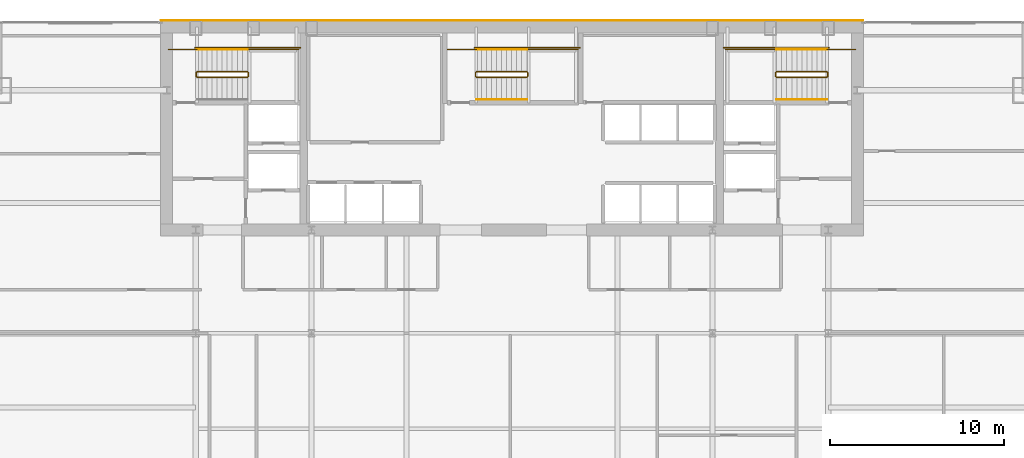
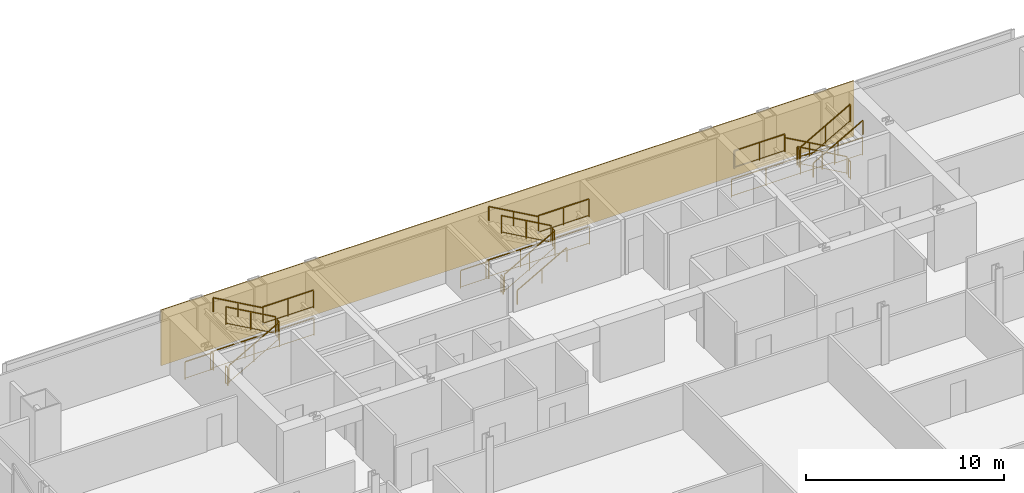
# One storey, part 31 of 31: 26 railings, 1 covering.
"""IFC4 building model written with IfcOpenShell, lengths in metres."""

from ifc_helpers import new_model, si_unit, direction, frame, origin, origin_2d, place, context, subcontext, project, spatial, polyline, rectangle, outline, extrude, material, layer, layer_set, type_object, element, save


model = new_model("IFC4")

# Units and contexts
model_context = context("Model", 3, precision=1e-05, world=origin(), true_north=direction((0.0, 1.0)))
body_context = subcontext(model_context, "Body", "Model", "MODEL_VIEW")
ifc_project = project(units=[si_unit("LENGTHUNIT", "METRE"), si_unit("AREAUNIT", "SQUARE_METRE"), si_unit("VOLUMEUNIT", "CUBIC_METRE"), si_unit("PLANEANGLEUNIT", "RADIAN"), si_unit("MASSUNIT", "GRAM", prefix="KILO")], contexts=[model_context])

# Site, building, storey
site_placement = place(None, origin())
site = spatial("IfcSite", under=ifc_project, at=site_placement, CompositionType="ELEMENT")
building_placement = place(site_placement, origin())
building = spatial("IfcBuilding", under=site, at=building_placement, Name="Khoronbel Lancet Exchange", CompositionType="ELEMENT")
storey_placement = place(building_placement, frame((0.0, 0.0, 121.800048828125)))
storey = spatial("IfcBuildingStorey", under=building, at=storey_placement, Name="L29", CompositionType="ELEMENT", Elevation=121.800048828125)

# Covering
ifc_material_1 = material(Name="Honed Egyptian Limestone & Bronze Rainscreen", Category="masonry")
ifc_layer = layer(ifc_material_1, 0.050048828125, Name="Honed Egyptian Limestone & Bronze Rainscreen")
ifc_layer_set = layer_set([ifc_layer], Name="Honed Egyptian Limestone & Bronze Rainscreen")
covering_type = type_object("IfcCoveringType", Name="COV-CLAD1", PredefinedType="CLADDING", material=ifc_layer_set)
covering_placement = place(storey_placement, origin())
element("IfcCovering", 1, at=covering_placement, inside=storey, type_object=covering_type, Name="Level L29 north rear-core stone and bronze rainscreen cladding", PredefinedType="CLADDING", context=body_context, shape_type="SweptSolid", body=[
    extrude(outline(polyline([(16.199951171875, 53.699951171875), (56.699951171875, 53.699951171875), (56.699951171875, 53.75), (16.199951171875, 53.75), (16.199951171875, 53.699951171875)])), origin(), (0.0, 0.0, 1.0), 3.43994140625),
])

# Railings
ifc_material_2 = material(Name="Painted Steel Balustrade", Category="steel")
railing_type_1 = type_object("IfcRailingType", Name="RL-STG110", PredefinedType="GUARDRAIL", material=ifc_material_2)
railing_1_placement = place(storey_placement, frame((18.300048828125, 50.449951171875, 0.16357421875)))
element("IfcRailing", 2, at=railing_1_placement, inside=storey, type_object=railing_type_1, Name="L29 ST1 stair guard 1", PredefinedType="GUARDRAIL", context=body_context, shape_type="SweptSolid", body=[
    extrude(rectangle(XDim=0.048095703125, YDim=0.048095703125, at=origin_2d()), frame((0.0, 0.0, 1.09619140625), z_axis=(0.870897200241, 0.0, 0.491465224214), x_axis=(0.0, 1.0, 0.0)), (0.0, 0.0, 1.0), 3.329833984375),
    extrude(rectangle(XDim=0.02392578125, YDim=0.02392578125, at=origin_2d()), frame((0.0, 0.0, 0.080078125), z_axis=(0.870897200241, 0.0, 0.491465224214), x_axis=(0.0, 1.0, 0.0)), (0.0, 0.0, 1.0), 3.329833984375),
    extrude(rectangle(XDim=0.0419921875, YDim=0.0419921875, at=origin_2d()), origin(), (0.0, 0.0, 1.0), 1.072021484375),
    extrude(rectangle(XDim=0.0419921875, YDim=0.0419921875, at=origin_2d()), frame((1.449951171875, 0.0, 0.818359375)), (0.0, 0.0, 1.0), 1.072021484375),
    extrude(rectangle(XDim=0.0419921875, YDim=0.0419921875, at=origin_2d()), frame((2.89990234375, 0.0, 1.636474609375)), (0.0, 0.0, 1.0), 1.072021484375),
])
railing_2_placement = place(storey_placement, frame((21.25, 50.5, 1.800048828125)))
element("IfcRailing", 3, at=railing_2_placement, inside=storey, type_object=railing_type_1, Name="L29 ST1 stair guard 2", PredefinedType="GUARDRAIL", context=body_context, shape_type="SweptSolid", body=[
    extrude(rectangle(XDim=0.048095703125, YDim=0.048095703125, at=origin_2d()), frame((0.0, 0.0, 1.09619140625), z_axis=(0.0, 1.0, 0.0), x_axis=(-1.0, 0.0, 0.0)), (0.0, 0.0, 1.0), 0.219970703125),
    extrude(rectangle(XDim=0.02392578125, YDim=0.02392578125, at=origin_2d()), frame((0.0, 0.0, 0.080078125), z_axis=(0.0, 1.0, 0.0), x_axis=(-1.0, 0.0, 0.0)), (0.0, 0.0, 1.0), 0.219970703125),
    extrude(rectangle(XDim=0.0419921875, YDim=0.0419921875, at=origin_2d()), origin(), (0.0, 0.0, 1.0), 1.072021484375),
    extrude(rectangle(XDim=0.0419921875, YDim=0.0419921875, at=origin_2d()), frame((0.0, 0.219970703125, 0.0)), (0.0, 0.0, 1.0), 1.072021484375),
])
railing_3_placement = place(storey_placement, frame((21.199951171875, 52.050048828125, 1.800048828125)))
element("IfcRailing", 4, at=railing_3_placement, inside=storey, type_object=railing_type_1, Name="L29 ST1 stair guard 3", PredefinedType="GUARDRAIL", context=body_context, shape_type="SweptSolid", body=[
    extrude(rectangle(XDim=0.048095703125, YDim=0.048095703125, at=origin_2d()), frame((0.0, 0.0, 1.09619140625), z_axis=(1.0, 0.0, 0.0), x_axis=(0.0, 1.0, 0.0)), (0.0, 0.0, 1.0), 2.949951171875),
    extrude(rectangle(XDim=0.02392578125, YDim=0.02392578125, at=origin_2d()), frame((0.0, 0.0, 0.080078125), z_axis=(1.0, 0.0, 0.0), x_axis=(0.0, 1.0, 0.0)), (0.0, 0.0, 1.0), 2.949951171875),
    extrude(rectangle(XDim=0.0419921875, YDim=0.0419921875, at=origin_2d()), origin(), (0.0, 0.0, 1.0), 1.072021484375),
    extrude(rectangle(XDim=0.0419921875, YDim=0.0419921875, at=origin_2d()), frame((1.47509765625, 0.0, 0.0)), (0.0, 0.0, 1.0), 1.072021484375),
    extrude(rectangle(XDim=0.0419921875, YDim=0.0419921875, at=origin_2d()), frame((2.949951171875, 0.0, 0.0)), (0.0, 0.0, 1.0), 1.072021484375),
])
railing_4_placement = place(storey_placement, frame((21.199951171875, 50.77001953125, 1.963623046875)))
element("IfcRailing", 5, at=railing_4_placement, inside=storey, type_object=railing_type_1, Name="L29 ST1 stair guard 4", PredefinedType="GUARDRAIL", context=body_context, shape_type="SweptSolid", body=[
    extrude(rectangle(XDim=0.048095703125, YDim=0.048095703125, at=origin_2d()), frame((0.0, 0.0, 1.09619140625), z_axis=(-0.870928581787, 0.0, 0.491409610636), x_axis=(0.0, -1.0, 0.0)), (0.0, 0.0, 1.0), 3.32958984375),
    extrude(rectangle(XDim=0.02392578125, YDim=0.02392578125, at=origin_2d()), frame((0.0, 0.0, 0.080078125), z_axis=(-0.870928581787, 0.0, 0.491409610636), x_axis=(0.0, -1.0, 0.0)), (0.0, 0.0, 1.0), 3.32958984375),
    extrude(rectangle(XDim=0.0419921875, YDim=0.0419921875, at=origin_2d()), origin(), (0.0, 0.0, 1.0), 1.072021484375),
    extrude(rectangle(XDim=0.0419921875, YDim=0.0419921875, at=origin_2d()), frame((-1.449951171875, 0.0, 0.818115234375)), (0.0, 0.0, 1.0), 1.072021484375),
    extrude(rectangle(XDim=0.0419921875, YDim=0.0419921875, at=origin_2d()), frame((-2.89990234375, 0.0, 1.63623046875)), (0.0, 0.0, 1.0), 1.072021484375),
])
railing_5_placement = place(storey_placement, frame((18.25, 50.5, 0.0)))
element("IfcRailing", 6, at=railing_5_placement, inside=storey, type_object=railing_type_1, Name="L29 ST1 stair guard 5", PredefinedType="GUARDRAIL", context=body_context, shape_type="SweptSolid", body=[
    extrude(rectangle(XDim=0.048095703125, YDim=0.048095703125, at=origin_2d()), frame((0.0, 0.0, 1.09619140625), z_axis=(0.0, 1.0, 0.0), x_axis=(-1.0, 0.0, 0.0)), (0.0, 0.0, 1.0), 0.219970703125),
    extrude(rectangle(XDim=0.02392578125, YDim=0.02392578125, at=origin_2d()), frame((0.0, 0.0, 0.080078125), z_axis=(0.0, 1.0, 0.0), x_axis=(-1.0, 0.0, 0.0)), (0.0, 0.0, 1.0), 0.219970703125),
    extrude(rectangle(XDim=0.0419921875, YDim=0.0419921875, at=origin_2d()), origin(), (0.0, 0.0, 1.0), 1.072021484375),
    extrude(rectangle(XDim=0.0419921875, YDim=0.0419921875, at=origin_2d()), frame((0.0, 0.219970703125, 0.0)), (0.0, 0.0, 1.0), 1.072021484375),
])
railing_6_placement = place(storey_placement, frame((16.64990234375, 52.050048828125, 0.0)))
element("IfcRailing", 7, at=railing_6_placement, inside=storey, type_object=railing_type_1, Name="L29 ST1 stair guard 6", PredefinedType="GUARDRAIL", context=body_context, shape_type="SweptSolid", body=[
    extrude(rectangle(XDim=0.048095703125, YDim=0.048095703125, at=origin_2d()), frame((0.0, 0.0, 1.09619140625), z_axis=(1.0, 0.0, 0.0), x_axis=(0.0, 1.0, 0.0)), (0.0, 0.0, 1.0), 1.650146484375),
    extrude(rectangle(XDim=0.02392578125, YDim=0.02392578125, at=origin_2d()), frame((0.0, 0.0, 0.080078125), z_axis=(1.0, 0.0, 0.0), x_axis=(0.0, 1.0, 0.0)), (0.0, 0.0, 1.0), 1.650146484375),
    extrude(rectangle(XDim=0.0419921875, YDim=0.0419921875, at=origin_2d()), origin(), (0.0, 0.0, 1.0), 1.072021484375),
    extrude(rectangle(XDim=0.0419921875, YDim=0.0419921875, at=origin_2d()), frame((1.650146484375, 0.0, 0.0)), (0.0, 0.0, 1.0), 1.072021484375),
])
railing_7_placement = place(storey_placement, frame((18.199951171875, 52.14990234375, 0.0)))
element("IfcRailing", 8, at=railing_7_placement, inside=storey, type_object=railing_type_1, Name="L29 ST1 stair guard 7", PredefinedType="GUARDRAIL", context=body_context, shape_type="SweptSolid", body=[
    extrude(rectangle(XDim=0.048095703125, YDim=0.048095703125, at=origin_2d()), frame((0.0, 0.0, 1.09619140625), z_axis=(1.0, 0.0, 0.0), x_axis=(0.0, 1.0, 0.0)), (0.0, 0.0, 1.0), 6.050048828125),
    extrude(rectangle(XDim=0.02392578125, YDim=0.02392578125, at=origin_2d()), frame((0.0, 0.0, 0.080078125), z_axis=(1.0, 0.0, 0.0), x_axis=(0.0, 1.0, 0.0)), (0.0, 0.0, 1.0), 6.050048828125),
    extrude(rectangle(XDim=0.0419921875, YDim=0.0419921875, at=origin_2d()), origin(), (0.0, 0.0, 1.0), 1.072021484375),
    extrude(rectangle(XDim=0.0419921875, YDim=0.0419921875, at=origin_2d()), frame((2.0166015625, 0.0, 0.0)), (0.0, 0.0, 1.0), 1.072021484375),
    extrude(rectangle(XDim=0.0419921875, YDim=0.0419921875, at=origin_2d()), frame((4.033447265625, 0.0, 0.0)), (0.0, 0.0, 1.0), 1.072021484375),
    extrude(rectangle(XDim=0.0419921875, YDim=0.0419921875, at=origin_2d()), frame((6.050048828125, 0.0, 0.0)), (0.0, 0.0, 1.0), 1.072021484375),
])
railing_8_placement = place(storey_placement, frame((54.60009765625, 50.77001953125, 0.16357421875)))
element("IfcRailing", 9, at=railing_8_placement, inside=storey, type_object=railing_type_1, Name="L29 ST2 stair guard 1", PredefinedType="GUARDRAIL", context=body_context, shape_type="SweptSolid", body=[
    extrude(rectangle(XDim=0.048095703125, YDim=0.048095703125, at=origin_2d()), frame((0.0, 0.0, 1.09619140625), z_axis=(-0.870914908162, 0.0, 0.491433843708), x_axis=(0.0, -1.0, 0.0)), (0.0, 0.0, 1.0), 3.330078125),
    extrude(rectangle(XDim=0.02392578125, YDim=0.02392578125, at=origin_2d()), frame((0.0, 0.0, 0.080078125), z_axis=(-0.870914908162, 0.0, 0.491433843708), x_axis=(0.0, -1.0, 0.0)), (0.0, 0.0, 1.0), 3.330078125),
    extrude(rectangle(XDim=0.0419921875, YDim=0.0419921875, at=origin_2d()), origin(), (0.0, 0.0, 1.0), 1.072021484375),
    extrude(rectangle(XDim=0.0419921875, YDim=0.0419921875, at=origin_2d()), frame((-1.4501953125, 0.0, 0.818359375)), (0.0, 0.0, 1.0), 1.072021484375),
    extrude(rectangle(XDim=0.0419921875, YDim=0.0419921875, at=origin_2d()), frame((-2.900146484375, 0.0, 1.636474609375)), (0.0, 0.0, 1.0), 1.072021484375),
])
railing_9_placement = place(storey_placement, frame((51.64990234375, 50.719970703125, 1.800048828125)))
element("IfcRailing", 10, at=railing_9_placement, inside=storey, type_object=railing_type_1, Name="L29 ST2 stair guard 2", PredefinedType="GUARDRAIL", context=body_context, shape_type="SweptSolid", body=[
    extrude(rectangle(XDim=0.048095703125, YDim=0.048095703125, at=origin_2d()), frame((0.0, 0.0, 1.09619140625), z_axis=(0.0, -1.0, 0.0), x_axis=(1.0, 0.0, 0.0)), (0.0, 0.0, 1.0), 0.219970703125),
    extrude(rectangle(XDim=0.02392578125, YDim=0.02392578125, at=origin_2d()), frame((0.0, 0.0, 0.080078125), z_axis=(0.0, -1.0, 0.0), x_axis=(1.0, 0.0, 0.0)), (0.0, 0.0, 1.0), 0.219970703125),
    extrude(rectangle(XDim=0.0419921875, YDim=0.0419921875, at=origin_2d()), origin(), (0.0, 0.0, 1.0), 1.072021484375),
    extrude(rectangle(XDim=0.0419921875, YDim=0.0419921875, at=origin_2d()), frame((0.0, -0.219970703125, 0.0)), (0.0, 0.0, 1.0), 1.072021484375),
])
railing_10_placement = place(storey_placement, frame((51.699951171875, 52.050048828125, 1.800048828125)))
element("IfcRailing", 11, at=railing_10_placement, inside=storey, type_object=railing_type_1, Name="L29 ST2 stair guard 3", PredefinedType="GUARDRAIL", context=body_context, shape_type="SweptSolid", body=[
    extrude(rectangle(XDim=0.048095703125, YDim=0.048095703125, at=origin_2d()), frame((0.0, 0.0, 1.09619140625), z_axis=(-1.0, 0.0, 0.0), x_axis=(0.0, -1.0, 0.0)), (0.0, 0.0, 1.0), 2.949951171875),
    extrude(rectangle(XDim=0.02392578125, YDim=0.02392578125, at=origin_2d()), frame((0.0, 0.0, 0.080078125), z_axis=(-1.0, 0.0, 0.0), x_axis=(0.0, -1.0, 0.0)), (0.0, 0.0, 1.0), 2.949951171875),
    extrude(rectangle(XDim=0.0419921875, YDim=0.0419921875, at=origin_2d()), origin(), (0.0, 0.0, 1.0), 1.072021484375),
    extrude(rectangle(XDim=0.0419921875, YDim=0.0419921875, at=origin_2d()), frame((-1.47509765625, 0.0, 0.0)), (0.0, 0.0, 1.0), 1.072021484375),
    extrude(rectangle(XDim=0.0419921875, YDim=0.0419921875, at=origin_2d()), frame((-2.949951171875, 0.0, 0.0)), (0.0, 0.0, 1.0), 1.072021484375),
])
railing_11_placement = place(storey_placement, frame((51.699951171875, 50.449951171875, 1.963623046875)))
element("IfcRailing", 12, at=railing_11_placement, inside=storey, type_object=railing_type_1, Name="L29 ST2 stair guard 4", PredefinedType="GUARDRAIL", context=body_context, shape_type="SweptSolid", body=[
    extrude(rectangle(XDim=0.048095703125, YDim=0.048095703125, at=origin_2d()), frame((0.0, 0.0, 1.09619140625), z_axis=(0.870946286338, 0.0, 0.49137823142), x_axis=(0.0, 1.0, 0.0)), (0.0, 0.0, 1.0), 3.329833984375),
    extrude(rectangle(XDim=0.02392578125, YDim=0.02392578125, at=origin_2d()), frame((0.0, 0.0, 0.080078125), z_axis=(0.870946286338, 0.0, 0.49137823142), x_axis=(0.0, 1.0, 0.0)), (0.0, 0.0, 1.0), 3.329833984375),
    extrude(rectangle(XDim=0.0419921875, YDim=0.0419921875, at=origin_2d()), origin(), (0.0, 0.0, 1.0), 1.072021484375),
    extrude(rectangle(XDim=0.0419921875, YDim=0.0419921875, at=origin_2d()), frame((1.4501953125, 0.0, 0.818115234375)), (0.0, 0.0, 1.0), 1.072021484375),
    extrude(rectangle(XDim=0.0419921875, YDim=0.0419921875, at=origin_2d()), frame((2.900146484375, 0.0, 1.63623046875)), (0.0, 0.0, 1.0), 1.072021484375),
])
railing_12_placement = place(storey_placement, frame((54.64990234375, 50.719970703125, 0.0)))
element("IfcRailing", 13, at=railing_12_placement, inside=storey, type_object=railing_type_1, Name="L29 ST2 stair guard 5", PredefinedType="GUARDRAIL", context=body_context, shape_type="SweptSolid", body=[
    extrude(rectangle(XDim=0.048095703125, YDim=0.048095703125, at=origin_2d()), frame((0.0, 0.0, 1.09619140625), z_axis=(0.0, -1.0, 0.0), x_axis=(1.0, 0.0, 0.0)), (0.0, 0.0, 1.0), 0.219970703125),
    extrude(rectangle(XDim=0.02392578125, YDim=0.02392578125, at=origin_2d()), frame((0.0, 0.0, 0.080078125), z_axis=(0.0, -1.0, 0.0), x_axis=(1.0, 0.0, 0.0)), (0.0, 0.0, 1.0), 0.219970703125),
    extrude(rectangle(XDim=0.0419921875, YDim=0.0419921875, at=origin_2d()), origin(), (0.0, 0.0, 1.0), 1.072021484375),
    extrude(rectangle(XDim=0.0419921875, YDim=0.0419921875, at=origin_2d()), frame((0.0, -0.219970703125, 0.0)), (0.0, 0.0, 1.0), 1.072021484375),
])
railing_13_placement = place(storey_placement, frame((56.25, 52.050048828125, 0.0)))
element("IfcRailing", 14, at=railing_13_placement, inside=storey, type_object=railing_type_1, Name="L29 ST2 stair guard 6", PredefinedType="GUARDRAIL", context=body_context, shape_type="SweptSolid", body=[
    extrude(rectangle(XDim=0.048095703125, YDim=0.048095703125, at=origin_2d()), frame((0.0, 0.0, 1.09619140625), z_axis=(-1.0, 0.0, 0.0), x_axis=(0.0, -1.0, 0.0)), (0.0, 0.0, 1.0), 1.64990234375),
    extrude(rectangle(XDim=0.02392578125, YDim=0.02392578125, at=origin_2d()), frame((0.0, 0.0, 0.080078125), z_axis=(-1.0, 0.0, 0.0), x_axis=(0.0, -1.0, 0.0)), (0.0, 0.0, 1.0), 1.64990234375),
    extrude(rectangle(XDim=0.0419921875, YDim=0.0419921875, at=origin_2d()), origin(), (0.0, 0.0, 1.0), 1.072021484375),
    extrude(rectangle(XDim=0.0419921875, YDim=0.0419921875, at=origin_2d()), frame((-1.64990234375, 0.0, 0.0)), (0.0, 0.0, 1.0), 1.072021484375),
])
railing_14_placement = place(storey_placement, frame((54.699951171875, 52.14990234375, 0.0)))
element("IfcRailing", 15, at=railing_14_placement, inside=storey, type_object=railing_type_1, Name="L29 ST2 stair guard 7", PredefinedType="GUARDRAIL", context=body_context, shape_type="SweptSolid", body=[
    extrude(rectangle(XDim=0.048095703125, YDim=0.048095703125, at=origin_2d()), frame((0.0, 0.0, 1.09619140625), z_axis=(-1.0, 0.0, 0.0), x_axis=(0.0, -1.0, 0.0)), (0.0, 0.0, 1.0), 6.050048828125),
    extrude(rectangle(XDim=0.02392578125, YDim=0.02392578125, at=origin_2d()), frame((0.0, 0.0, 0.080078125), z_axis=(-1.0, 0.0, 0.0), x_axis=(0.0, -1.0, 0.0)), (0.0, 0.0, 1.0), 6.050048828125),
    extrude(rectangle(XDim=0.0419921875, YDim=0.0419921875, at=origin_2d()), origin(), (0.0, 0.0, 1.0), 1.072021484375),
    extrude(rectangle(XDim=0.0419921875, YDim=0.0419921875, at=origin_2d()), frame((-2.0166015625, 0.0, 0.0)), (0.0, 0.0, 1.0), 1.072021484375),
    extrude(rectangle(XDim=0.0419921875, YDim=0.0419921875, at=origin_2d()), frame((-4.033447265625, 0.0, 0.0)), (0.0, 0.0, 1.0), 1.072021484375),
    extrude(rectangle(XDim=0.0419921875, YDim=0.0419921875, at=origin_2d()), frame((-6.050048828125, 0.0, 0.0)), (0.0, 0.0, 1.0), 1.072021484375),
])
railing_15_placement = place(storey_placement, frame((34.39990234375, 50.449951171875, 0.16357421875)))
element("IfcRailing", 16, at=railing_15_placement, inside=storey, type_object=railing_type_1, Name="L29 ST3 stair guard 1", PredefinedType="GUARDRAIL", context=body_context, shape_type="SweptSolid", body=[
    extrude(rectangle(XDim=0.048095703125, YDim=0.048095703125, at=origin_2d()), frame((0.0, 0.0, 1.09619140625), z_axis=(0.870914908162, 0.0, 0.491433843708), x_axis=(0.0, 1.0, 0.0)), (0.0, 0.0, 1.0), 3.330078125),
    extrude(rectangle(XDim=0.02392578125, YDim=0.02392578125, at=origin_2d()), frame((0.0, 0.0, 0.080078125), z_axis=(0.870914908162, 0.0, 0.491433843708), x_axis=(0.0, 1.0, 0.0)), (0.0, 0.0, 1.0), 3.330078125),
    extrude(rectangle(XDim=0.0419921875, YDim=0.0419921875, at=origin_2d()), origin(), (0.0, 0.0, 1.0), 1.072021484375),
    extrude(rectangle(XDim=0.0419921875, YDim=0.0419921875, at=origin_2d()), frame((1.4501953125, 0.0, 0.818359375)), (0.0, 0.0, 1.0), 1.072021484375),
    extrude(rectangle(XDim=0.0419921875, YDim=0.0419921875, at=origin_2d()), frame((2.900146484375, 0.0, 1.636474609375)), (0.0, 0.0, 1.0), 1.072021484375),
])
railing_16_placement = place(storey_placement, frame((37.35009765625, 50.5, 1.800048828125)))
element("IfcRailing", 17, at=railing_16_placement, inside=storey, type_object=railing_type_1, Name="L29 ST3 stair guard 2", PredefinedType="GUARDRAIL", context=body_context, shape_type="SweptSolid", body=[
    extrude(rectangle(XDim=0.048095703125, YDim=0.048095703125, at=origin_2d()), frame((0.0, 0.0, 1.09619140625), z_axis=(0.0, 1.0, 0.0), x_axis=(-1.0, 0.0, 0.0)), (0.0, 0.0, 1.0), 0.219970703125),
    extrude(rectangle(XDim=0.02392578125, YDim=0.02392578125, at=origin_2d()), frame((0.0, 0.0, 0.080078125), z_axis=(0.0, 1.0, 0.0), x_axis=(-1.0, 0.0, 0.0)), (0.0, 0.0, 1.0), 0.219970703125),
    extrude(rectangle(XDim=0.0419921875, YDim=0.0419921875, at=origin_2d()), origin(), (0.0, 0.0, 1.0), 1.072021484375),
    extrude(rectangle(XDim=0.0419921875, YDim=0.0419921875, at=origin_2d()), frame((0.0, 0.219970703125, 0.0)), (0.0, 0.0, 1.0), 1.072021484375),
])
railing_17_placement = place(storey_placement, frame((37.300048828125, 52.050048828125, 1.800048828125)))
element("IfcRailing", 18, at=railing_17_placement, inside=storey, type_object=railing_type_1, Name="L29 ST3 stair guard 3", PredefinedType="GUARDRAIL", context=body_context, shape_type="SweptSolid", body=[
    extrude(rectangle(XDim=0.048095703125, YDim=0.048095703125, at=origin_2d()), frame((0.0, 0.0, 1.09619140625), z_axis=(1.0, 0.0, 0.0), x_axis=(0.0, 1.0, 0.0)), (0.0, 0.0, 1.0), 2.949951171875),
    extrude(rectangle(XDim=0.02392578125, YDim=0.02392578125, at=origin_2d()), frame((0.0, 0.0, 0.080078125), z_axis=(1.0, 0.0, 0.0), x_axis=(0.0, 1.0, 0.0)), (0.0, 0.0, 1.0), 2.949951171875),
    extrude(rectangle(XDim=0.0419921875, YDim=0.0419921875, at=origin_2d()), origin(), (0.0, 0.0, 1.0), 1.072021484375),
    extrude(rectangle(XDim=0.0419921875, YDim=0.0419921875, at=origin_2d()), frame((1.47509765625, 0.0, 0.0)), (0.0, 0.0, 1.0), 1.072021484375),
    extrude(rectangle(XDim=0.0419921875, YDim=0.0419921875, at=origin_2d()), frame((2.949951171875, 0.0, 0.0)), (0.0, 0.0, 1.0), 1.072021484375),
])
railing_18_placement = place(storey_placement, frame((37.300048828125, 50.77001953125, 1.963623046875)))
element("IfcRailing", 19, at=railing_18_placement, inside=storey, type_object=railing_type_1, Name="L29 ST3 stair guard 4", PredefinedType="GUARDRAIL", context=body_context, shape_type="SweptSolid", body=[
    extrude(rectangle(XDim=0.048095703125, YDim=0.048095703125, at=origin_2d()), frame((0.0, 0.0, 1.09619140625), z_axis=(-0.870946286338, 0.0, 0.49137823142), x_axis=(0.0, -1.0, 0.0)), (0.0, 0.0, 1.0), 3.329833984375),
    extrude(rectangle(XDim=0.02392578125, YDim=0.02392578125, at=origin_2d()), frame((0.0, 0.0, 0.080078125), z_axis=(-0.870946286338, 0.0, 0.49137823142), x_axis=(0.0, -1.0, 0.0)), (0.0, 0.0, 1.0), 3.329833984375),
    extrude(rectangle(XDim=0.0419921875, YDim=0.0419921875, at=origin_2d()), origin(), (0.0, 0.0, 1.0), 1.072021484375),
    extrude(rectangle(XDim=0.0419921875, YDim=0.0419921875, at=origin_2d()), frame((-1.4501953125, 0.0, 0.818115234375)), (0.0, 0.0, 1.0), 1.072021484375),
    extrude(rectangle(XDim=0.0419921875, YDim=0.0419921875, at=origin_2d()), frame((-2.900146484375, 0.0, 1.63623046875)), (0.0, 0.0, 1.0), 1.072021484375),
])
railing_19_placement = place(storey_placement, frame((34.35009765625, 50.5, 0.0)))
element("IfcRailing", 20, at=railing_19_placement, inside=storey, type_object=railing_type_1, Name="L29 ST3 stair guard 5", PredefinedType="GUARDRAIL", context=body_context, shape_type="SweptSolid", body=[
    extrude(rectangle(XDim=0.048095703125, YDim=0.048095703125, at=origin_2d()), frame((0.0, 0.0, 1.09619140625), z_axis=(0.0, 1.0, 0.0), x_axis=(-1.0, 0.0, 0.0)), (0.0, 0.0, 1.0), 0.219970703125),
    extrude(rectangle(XDim=0.02392578125, YDim=0.02392578125, at=origin_2d()), frame((0.0, 0.0, 0.080078125), z_axis=(0.0, 1.0, 0.0), x_axis=(-1.0, 0.0, 0.0)), (0.0, 0.0, 1.0), 0.219970703125),
    extrude(rectangle(XDim=0.0419921875, YDim=0.0419921875, at=origin_2d()), origin(), (0.0, 0.0, 1.0), 1.072021484375),
    extrude(rectangle(XDim=0.0419921875, YDim=0.0419921875, at=origin_2d()), frame((0.0, 0.219970703125, 0.0)), (0.0, 0.0, 1.0), 1.072021484375),
])
railing_20_placement = place(storey_placement, frame((32.75, 52.050048828125, 0.0)))
element("IfcRailing", 21, at=railing_20_placement, inside=storey, type_object=railing_type_1, Name="L29 ST3 stair guard 6", PredefinedType="GUARDRAIL", context=body_context, shape_type="SweptSolid", body=[
    extrude(rectangle(XDim=0.048095703125, YDim=0.048095703125, at=origin_2d()), frame((0.0, 0.0, 1.09619140625), z_axis=(1.0, 0.0, 0.0), x_axis=(0.0, 1.0, 0.0)), (0.0, 0.0, 1.0), 1.64990234375),
    extrude(rectangle(XDim=0.02392578125, YDim=0.02392578125, at=origin_2d()), frame((0.0, 0.0, 0.080078125), z_axis=(1.0, 0.0, 0.0), x_axis=(0.0, 1.0, 0.0)), (0.0, 0.0, 1.0), 1.64990234375),
    extrude(rectangle(XDim=0.0419921875, YDim=0.0419921875, at=origin_2d()), origin(), (0.0, 0.0, 1.0), 1.072021484375),
    extrude(rectangle(XDim=0.0419921875, YDim=0.0419921875, at=origin_2d()), frame((1.64990234375, 0.0, 0.0)), (0.0, 0.0, 1.0), 1.072021484375),
])
railing_21_placement = place(storey_placement, frame((34.300048828125, 52.14990234375, 0.0)))
element("IfcRailing", 22, at=railing_21_placement, inside=storey, type_object=railing_type_1, Name="L29 ST3 stair guard 7", PredefinedType="GUARDRAIL", context=body_context, shape_type="SweptSolid", body=[
    extrude(rectangle(XDim=0.048095703125, YDim=0.048095703125, at=origin_2d()), frame((0.0, 0.0, 1.09619140625), z_axis=(1.0, 0.0, 0.0), x_axis=(0.0, 1.0, 0.0)), (0.0, 0.0, 1.0), 6.050048828125),
    extrude(rectangle(XDim=0.02392578125, YDim=0.02392578125, at=origin_2d()), frame((0.0, 0.0, 0.080078125), z_axis=(1.0, 0.0, 0.0), x_axis=(0.0, 1.0, 0.0)), (0.0, 0.0, 1.0), 6.050048828125),
    extrude(rectangle(XDim=0.0419921875, YDim=0.0419921875, at=origin_2d()), origin(), (0.0, 0.0, 1.0), 1.072021484375),
    extrude(rectangle(XDim=0.0419921875, YDim=0.0419921875, at=origin_2d()), frame((2.0166015625, 0.0, 0.0)), (0.0, 0.0, 1.0), 1.072021484375),
    extrude(rectangle(XDim=0.0419921875, YDim=0.0419921875, at=origin_2d()), frame((4.033447265625, 0.0, 0.0)), (0.0, 0.0, 1.0), 1.072021484375),
    extrude(rectangle(XDim=0.0419921875, YDim=0.0419921875, at=origin_2d()), frame((6.050048828125, 0.0, 0.0)), (0.0, 0.0, 1.0), 1.072021484375),
])
ifc_material_3 = material(Name="Brushed Stainless Steel 316", Category="steel")
railing_type_2 = type_object("IfcRailingType", Name="RL-STH92", PredefinedType="HANDRAIL", material=ifc_material_3)
railing_22_placement = place(storey_placement, frame((21.199951171875, 52.050048828125, 1.963623046875)))
element("IfcRailing", 23, at=railing_22_placement, inside=storey, type_object=railing_type_2, Name="L29 ST1 stair handrail 2", PredefinedType="HANDRAIL", context=body_context, shape_type="SweptSolid", body=[
    extrude(rectangle(XDim=0.048095703125, YDim=0.048095703125, at=origin_2d()), frame((0.0, 0.0, 0.8759765625), z_axis=(-0.870928581787, 0.0, 0.491409610636), x_axis=(0.0, -1.0, 0.0)), (0.0, 0.0, 1.0), 3.32958984375),
    extrude(rectangle(XDim=0.0419921875, YDim=0.0419921875, at=origin_2d()), origin(), (0.0, 0.0, 1.0), 0.851806640625),
    extrude(rectangle(XDim=0.0419921875, YDim=0.0419921875, at=origin_2d()), frame((-1.449951171875, 0.0, 0.818115234375)), (0.0, 0.0, 1.0), 0.851806640625),
    extrude(rectangle(XDim=0.0419921875, YDim=0.0419921875, at=origin_2d()), frame((-2.89990234375, 0.0, 1.63623046875)), (0.0, 0.0, 1.0), 0.851806640625),
])
railing_23_placement = place(storey_placement, frame((54.60009765625, 52.050048828125, 0.16357421875)))
element("IfcRailing", 24, at=railing_23_placement, inside=storey, type_object=railing_type_2, Name="L29 ST2 stair handrail 1", PredefinedType="HANDRAIL", context=body_context, shape_type="SweptSolid", body=[
    extrude(rectangle(XDim=0.048095703125, YDim=0.048095703125, at=origin_2d()), frame((0.0, 0.0, 0.8759765625), z_axis=(-0.870914908162, 0.0, 0.491433843708), x_axis=(0.0, -1.0, 0.0)), (0.0, 0.0, 1.0), 3.330078125),
    extrude(rectangle(XDim=0.0419921875, YDim=0.0419921875, at=origin_2d()), origin(), (0.0, 0.0, 1.0), 0.851806640625),
    extrude(rectangle(XDim=0.0419921875, YDim=0.0419921875, at=origin_2d()), frame((-1.4501953125, 0.0, 0.818359375)), (0.0, 0.0, 1.0), 0.851806640625),
    extrude(rectangle(XDim=0.0419921875, YDim=0.0419921875, at=origin_2d()), frame((-2.900146484375, 0.0, 1.636474609375)), (0.0, 0.0, 1.0), 0.851806640625),
])
railing_24_placement = place(storey_placement, frame((51.699951171875, 49.169921875, 1.963623046875)))
element("IfcRailing", 25, at=railing_24_placement, inside=storey, type_object=railing_type_2, Name="L29 ST2 stair handrail 2", PredefinedType="HANDRAIL", context=body_context, shape_type="SweptSolid", body=[
    extrude(rectangle(XDim=0.048095703125, YDim=0.048095703125, at=origin_2d()), frame((0.0, 0.0, 0.8759765625), z_axis=(0.870946286338, 0.0, 0.49137823142), x_axis=(0.0, 1.0, 0.0)), (0.0, 0.0, 1.0), 3.329833984375),
    extrude(rectangle(XDim=0.0419921875, YDim=0.0419921875, at=origin_2d()), origin(), (0.0, 0.0, 1.0), 0.851806640625),
    extrude(rectangle(XDim=0.0419921875, YDim=0.0419921875, at=origin_2d()), frame((1.4501953125, 0.0, 0.818115234375)), (0.0, 0.0, 1.0), 0.851806640625),
    extrude(rectangle(XDim=0.0419921875, YDim=0.0419921875, at=origin_2d()), frame((2.900146484375, 0.0, 1.63623046875)), (0.0, 0.0, 1.0), 0.851806640625),
])
railing_25_placement = place(storey_placement, frame((34.39990234375, 49.169921875, 0.16357421875)))
element("IfcRailing", 26, at=railing_25_placement, inside=storey, type_object=railing_type_2, Name="L29 ST3 stair handrail 1", PredefinedType="HANDRAIL", context=body_context, shape_type="SweptSolid", body=[
    extrude(rectangle(XDim=0.048095703125, YDim=0.048095703125, at=origin_2d()), frame((0.0, 0.0, 0.8759765625), z_axis=(0.870914908162, 0.0, 0.491433843708), x_axis=(0.0, 1.0, 0.0)), (0.0, 0.0, 1.0), 3.330078125),
    extrude(rectangle(XDim=0.0419921875, YDim=0.0419921875, at=origin_2d()), origin(), (0.0, 0.0, 1.0), 0.851806640625),
    extrude(rectangle(XDim=0.0419921875, YDim=0.0419921875, at=origin_2d()), frame((1.4501953125, 0.0, 0.818359375)), (0.0, 0.0, 1.0), 0.851806640625),
    extrude(rectangle(XDim=0.0419921875, YDim=0.0419921875, at=origin_2d()), frame((2.900146484375, 0.0, 1.636474609375)), (0.0, 0.0, 1.0), 0.851806640625),
])
railing_26_placement = place(storey_placement, frame((37.300048828125, 52.050048828125, 1.963623046875)))
element("IfcRailing", 27, at=railing_26_placement, inside=storey, type_object=railing_type_2, Name="L29 ST3 stair handrail 2", PredefinedType="HANDRAIL", context=body_context, shape_type="SweptSolid", body=[
    extrude(rectangle(XDim=0.048095703125, YDim=0.048095703125, at=origin_2d()), frame((0.0, 0.0, 0.8759765625), z_axis=(-0.870946286338, 0.0, 0.49137823142), x_axis=(0.0, -1.0, 0.0)), (0.0, 0.0, 1.0), 3.329833984375),
    extrude(rectangle(XDim=0.0419921875, YDim=0.0419921875, at=origin_2d()), origin(), (0.0, 0.0, 1.0), 0.851806640625),
    extrude(rectangle(XDim=0.0419921875, YDim=0.0419921875, at=origin_2d()), frame((-1.4501953125, 0.0, 0.818115234375)), (0.0, 0.0, 1.0), 0.851806640625),
    extrude(rectangle(XDim=0.0419921875, YDim=0.0419921875, at=origin_2d()), frame((-2.900146484375, 0.0, 1.63623046875)), (0.0, 0.0, 1.0), 0.851806640625),
])

save(model, "model.ifc")
